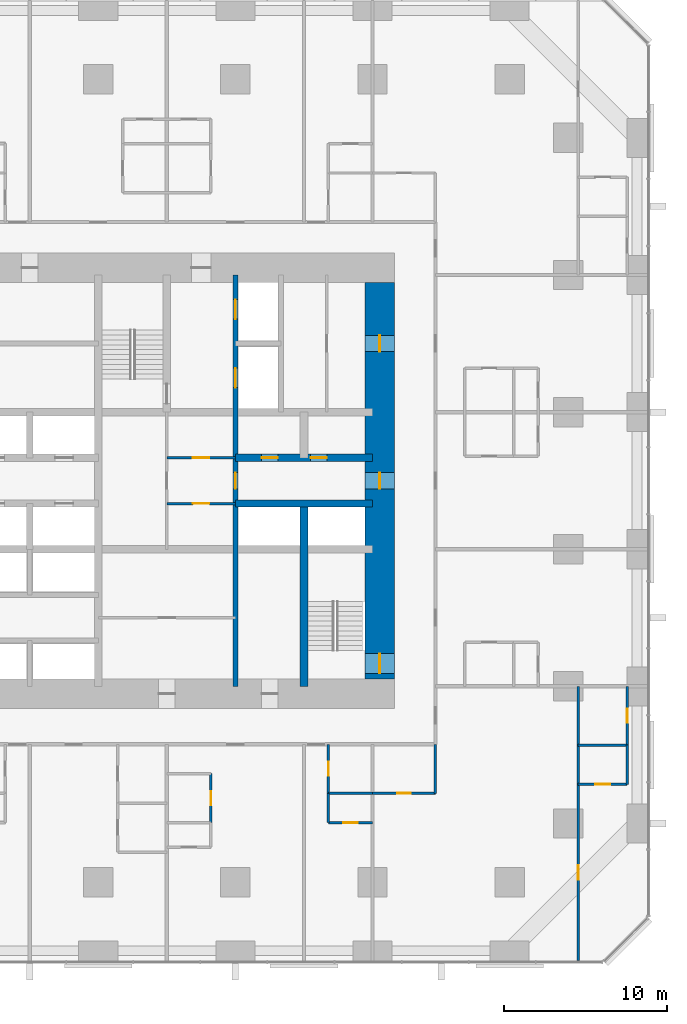
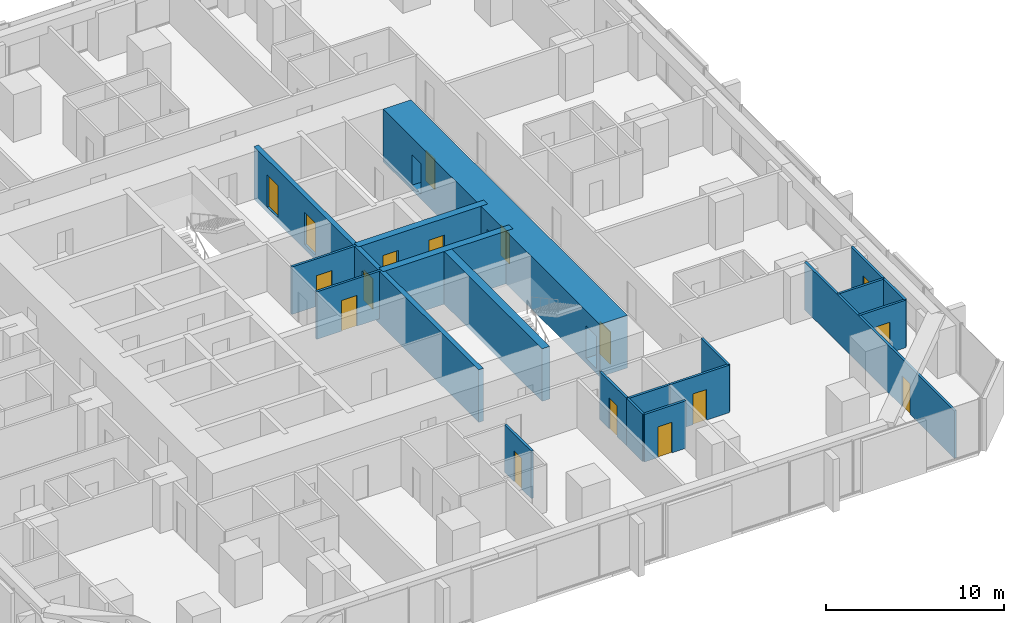
# One storey, part 13 of 17: 19 walls, 17 doors, 17 openings.
"""IFC4 building model written with IfcOpenShell, lengths in metres."""

from ifc_helpers import new_model, si_unit, direction, frame, frame_2d, origin, place, context, subcontext, project, spatial, rectangle, extrude, material, layer, layer_set, type_object, element, fill, save


model = new_model("IFC4")

# Units and contexts
model_context = context("Model", 3, precision=1e-05, world=origin(), true_north=direction((0.0, 1.0)))
body_context = subcontext(model_context, "Body", "Model", "MODEL_VIEW")
ifc_project = project(units=[si_unit("LENGTHUNIT", "METRE"), si_unit("AREAUNIT", "SQUARE_METRE"), si_unit("VOLUMEUNIT", "CUBIC_METRE"), si_unit("PLANEANGLEUNIT", "RADIAN"), si_unit("MASSUNIT", "GRAM", prefix="KILO")], contexts=[model_context])

# Site, building, storey
site_placement = place(None, origin())
site = spatial("IfcSite", under=ifc_project, at=site_placement, CompositionType="ELEMENT")
building_placement = place(site_placement, origin())
building = spatial("IfcBuilding", under=site, at=building_placement, Name="Dunama Terrace Hotel", CompositionType="ELEMENT")
storey_placement = place(building_placement, frame((0.0, 0.0, 41.39990234375)))
storey = spatial("IfcBuildingStorey", under=building, at=storey_placement, Name="L09", CompositionType="ELEMENT", Elevation=41.39990234375)

# Wall, opening, door
ifc_material_1 = material(Name="Gypsum board partition", Category="masonry")
ifc_layer_1 = layer(ifc_material_1, 0.14990234375)
ifc_layer_set_1 = layer_set([ifc_layer_1], Name="Bathroom partition 150")
wall_type_1 = type_object("IfcWallType", Name="Bathroom partition 150", PredefinedType="PARTITIONING", material=ifc_layer_set_1)
wall_1_placement = place(storey_placement, frame((32.10009765625, 8.449951171875, 0.0), z_axis=(0.0, 0.0, 1.0), x_axis=(0.0, 1.0, 0.0)))
wall_1 = element("IfcWall", 1, at=wall_1_placement, inside=storey, type_object=wall_type_1, Name="Bathroom partition 150 L09", PredefinedType="PARTITIONING", context=body_context, shape_type="SweptSolid", body=[
    extrude(rectangle(XDim=3.0, YDim=0.14990234375, at=frame_2d((1.5, 0.0))), origin(), (0.0, 0.0, 1.0), 3.25),
])
opening_1_placement = place(wall_1_placement, frame((1.074951171875, 0.0, 0.0)))
opening_1 = element("IfcOpeningElement", 2, at=opening_1_placement, cuts=wall_1, Name="Opening L07-09-016", PredefinedType="OPENING", context=body_context, shape_type="SweptSolid", body=[
    extrude(rectangle(XDim=0.85009765625, YDim=2.10009765625, at=frame_2d((0.425048828125, 1.050048828125))), frame((0.0, 0.0849609375, 0.0), z_axis=(0.0, -1.0, 0.0), x_axis=(1.0, 0.0, 0.0)), (0.0, 0.0, 1.0), 0.169921875),
])
ifc_material_2 = material(Name="Timber door with steel frame", Category="steel")
door_type_1 = type_object("IfcDoorType", Name="Bathroom door 850", OperationType="SINGLE_SWING_LEFT", PredefinedType="DOOR", material=ifc_material_2)
door_1_placement = place(opening_1_placement, origin())
door_1 = element("IfcDoor", 3, at=door_1_placement, inside=storey, type_object=door_type_1, Name="Door to en-suite bathroom L07-09-016, type D2", OperationType="SINGLE_SWING_LEFT", OverallHeight=2.10009765625, OverallWidth=0.85009765625, PredefinedType="DOOR", context=body_context, shape_type="SweptSolid", body=[
    extrude(rectangle(XDim=0.85009765625, YDim=2.10009765625, at=frame_2d((0.425048828125, 1.050048828125))), frame((0.0, 0.02490234375, 0.0), z_axis=(0.0, -1.0, 0.0), x_axis=(1.0, 0.0, 0.0)), (0.0, 0.0, 1.0), 0.050048828125),
])
fill(opening_1, door_1)

wall_2_placement = place(storey_placement, frame((39.300048828125, 10.25, 0.0), z_axis=(0.0, 0.0, 1.0), x_axis=(0.0, 1.0, 0.0)))
wall_2 = element("IfcWall", 4, at=wall_2_placement, inside=storey, type_object=wall_type_1, Name="Bathroom partition 150 L09", PredefinedType="PARTITIONING", context=body_context, shape_type="SweptSolid", body=[
    extrude(rectangle(XDim=3.0, YDim=0.14990234375, at=frame_2d((1.5, 0.0))), origin(), (0.0, 0.0, 1.0), 3.25),
])
opening_2_placement = place(wall_2_placement, frame((1.074951171875, 0.0, 0.0)))
opening_2 = element("IfcOpeningElement", 5, at=opening_2_placement, cuts=wall_2, Name="Opening L07-09-019", PredefinedType="OPENING", context=body_context, shape_type="SweptSolid", body=[
    extrude(rectangle(XDim=0.85009765625, YDim=2.10009765625, at=frame_2d((0.425048828125, 1.050048828125))), frame((0.0, 0.0849609375, 0.0), z_axis=(0.0, -1.0, 0.0), x_axis=(1.0, 0.0, 0.0)), (0.0, 0.0, 1.0), 0.169921875),
])
door_2_placement = place(opening_2_placement, frame((0.85009765625, 0.0, 0.0), z_axis=(0.0, 0.0, 1.0), x_axis=(-1.0, 0.0, 0.0)))
door_2 = element("IfcDoor", 6, at=door_2_placement, inside=storey, type_object=door_type_1, Name="Door to en-suite bathroom L07-09-019, type D2", OperationType="SINGLE_SWING_LEFT", OverallHeight=2.10009765625, OverallWidth=0.85009765625, PredefinedType="DOOR", context=body_context, shape_type="SweptSolid", body=[
    extrude(rectangle(XDim=0.85009765625, YDim=2.10009765625, at=frame_2d((0.425048828125, 1.050048828125))), frame((0.0, 0.025146484375, 0.0), z_axis=(0.0, -1.0, 0.0), x_axis=(1.0, 0.0, 0.0)), (0.0, 0.0, 1.0), 0.050048828125),
])
fill(opening_2, door_2)

# Wall
wall_3_placement = place(storey_placement, frame((45.85009765625, 10.25, 0.0), z_axis=(0.0, 0.0, 1.0), x_axis=(0.0, 1.0, 0.0)))
element("IfcWall", 7, at=wall_3_placement, inside=storey, type_object=wall_type_1, Name="Bathroom partition 150 L09", PredefinedType="PARTITIONING", context=body_context, shape_type="SweptSolid", body=[
    extrude(rectangle(XDim=3.0, YDim=0.14990234375, at=frame_2d((1.5, 0.0))), origin(), (0.0, 0.0, 1.0), 3.25),
])

# Wall, opening, door
wall_4_placement = place(storey_placement, frame((57.60009765625, 13.199951171875, 0.0), z_axis=(0.0, 0.0, 1.0), x_axis=(0.0, 1.0, 0.0)))
wall_4 = element("IfcWall", 8, at=wall_4_placement, inside=storey, type_object=wall_type_1, Name="Bathroom partition 150 L09", PredefinedType="PARTITIONING", context=body_context, shape_type="SweptSolid", body=[
    extrude(rectangle(XDim=3.60009765625, YDim=0.14990234375, at=frame_2d((1.800048828125, 0.0))), origin(), (0.0, 0.0, 1.0), 3.25),
])
opening_3_placement = place(wall_4_placement, frame((1.375, 0.0, 0.0)))
opening_3 = element("IfcOpeningElement", 9, at=opening_3_placement, cuts=wall_4, Name="Opening L07-09-066", PredefinedType="OPENING", context=body_context, shape_type="SweptSolid", body=[
    extrude(rectangle(XDim=0.85009765625, YDim=2.10009765625, at=frame_2d((0.425048828125, 1.050048828125))), frame((0.0, 0.0849609375, 0.0), z_axis=(0.0, -1.0, 0.0), x_axis=(1.0, 0.0, 0.0)), (0.0, 0.0, 1.0), 0.169921875),
])
door_3_placement = place(opening_3_placement, origin())
door_3 = element("IfcDoor", 10, at=door_3_placement, inside=storey, type_object=door_type_1, Name="Door to en-suite bathroom L07-09-066, type D2", OperationType="SINGLE_SWING_RIGHT", OverallHeight=2.10009765625, OverallWidth=0.85009765625, PredefinedType="DOOR", context=body_context, shape_type="SweptSolid", body=[
    extrude(rectangle(XDim=0.85009765625, YDim=2.10009765625, at=frame_2d((0.425048828125, 1.050048828125))), frame((0.0, 0.02490234375, 0.0), z_axis=(0.0, -1.0, 0.0), x_axis=(1.0, 0.0, 0.0)), (0.0, 0.0, 1.0), 0.050048828125),
])
fill(opening_3, door_3)

wall_5_placement = place(storey_placement, frame((42.0, 10.25, 0.0), z_axis=(0.0, 0.0, 1.0), x_axis=(1.0, 0.0, 0.0)))
wall_5 = element("IfcWall", 11, at=wall_5_placement, inside=storey, type_object=wall_type_1, Name="Bathroom partition 150 L09", PredefinedType="PARTITIONING", context=body_context, shape_type="SweptSolid", body=[
    extrude(rectangle(XDim=3.85009765625, YDim=0.14990234375, at=frame_2d((1.925048828125, 0.0))), origin(), (0.0, 0.0, 1.0), 3.25),
])
opening_4_placement = place(wall_5_placement, frame((1.5, 0.0, 0.0)))
opening_4 = element("IfcOpeningElement", 12, at=opening_4_placement, cuts=wall_5, Name="Opening L07-09-064", PredefinedType="OPENING", context=body_context, shape_type="SweptSolid", body=[
    extrude(rectangle(XDim=0.85009765625, YDim=2.10009765625, at=frame_2d((0.425048828125, 1.050048828125))), frame((0.0, 0.0849609375, 0.0), z_axis=(0.0, -1.0, 0.0), x_axis=(1.0, 0.0, 0.0)), (0.0, 0.0, 1.0), 0.169921875),
])
door_4_placement = place(opening_4_placement, origin())
door_4 = element("IfcDoor", 13, at=door_4_placement, inside=storey, type_object=door_type_1, Name="Door to powder room L07-09-064, type D2", OperationType="SINGLE_SWING_LEFT", OverallHeight=2.10009765625, OverallWidth=0.85009765625, PredefinedType="DOOR", context=body_context, shape_type="SweptSolid", body=[
    extrude(rectangle(XDim=0.85009765625, YDim=2.10009765625, at=frame_2d((0.425048828125, 1.050048828125))), frame((0.0, 0.02490234375, 0.0), z_axis=(0.0, -1.0, 0.0), x_axis=(1.0, 0.0, 0.0)), (0.0, 0.0, 1.0), 0.050048828125),
])
fill(opening_4, door_4)

# Wall, openings, doors
ifc_material_3 = material(Name="Concrete C50/60", Category="concrete")
ifc_layer_2 = layer(ifc_material_3, 0.300048828125)
ifc_layer_set_2 = layer_set([ifc_layer_2], Name="Core inner wall 300")
wall_type_2 = type_object("IfcWallType", Name="Core inner wall 300", PredefinedType="SHEAR", material=ifc_layer_set_2)
wall_6_placement = place(storey_placement, frame((33.60009765625, 16.800048828125, -0.349853515625), z_axis=(0.0, 0.0, 1.0), x_axis=(0.0, 1.0, 0.0)))
wall_6 = element("IfcWall", 14, at=wall_6_placement, inside=storey, type_object=wall_type_2, Name="Core inner wall 300 L09", PredefinedType="SHEAR", context=body_context, shape_type="SweptSolid", body=[
    extrude(rectangle(XDim=25.199951171875, YDim=0.300048828125, at=frame_2d((12.60009765625, 0.0))), origin(), (0.0, 0.0, 1.0), 3.599853515625),
])
opening_5_placement = place(wall_6_placement, frame((22.5, 0.0, 0.35009765625)))
opening_5 = element("IfcOpeningElement", 15, at=opening_5_placement, cuts=wall_6, Name="Opening L07-09-007", PredefinedType="OPENING", context=body_context, shape_type="SweptSolid", body=[
    extrude(rectangle(XDim=1.199951171875, YDim=2.199951171875, at=frame_2d((0.60009765625, 1.10009765625))), frame((0.0, 0.159912109375, 0.0), z_axis=(0.0, -1.0, 0.0), x_axis=(1.0, 0.0, 0.0)), (0.0, 0.0, 1.0), 0.320068359375),
])
opening_6_placement = place(wall_6_placement, frame((18.300048828125, 0.0, 0.35009765625)))
opening_6 = element("IfcOpeningElement", 16, at=opening_6_placement, cuts=wall_6, Name="Opening L07-09-008", PredefinedType="OPENING", context=body_context, shape_type="SweptSolid", body=[
    extrude(rectangle(XDim=1.199951171875, YDim=2.199951171875, at=frame_2d((0.60009765625, 1.10009765625))), frame((0.0, 0.159912109375, 0.0), z_axis=(0.0, -1.0, 0.0), x_axis=(1.0, 0.0, 0.0)), (0.0, 0.0, 1.0), 0.320068359375),
])
opening_7_placement = place(wall_6_placement, frame((12.10009765625, 0.0, 0.35009765625)))
opening_7 = element("IfcOpeningElement", 17, at=opening_7_placement, cuts=wall_6, Name="Opening L07-09-082", PredefinedType="OPENING", context=body_context, shape_type="SweptSolid", body=[
    extrude(rectangle(XDim=1.0, YDim=2.10009765625, at=frame_2d((0.5, 1.050048828125))), frame((0.0, 0.159912109375, 0.0), z_axis=(0.0, -1.0, 0.0), x_axis=(1.0, 0.0, 0.0)), (0.0, 0.0, 1.0), 0.320068359375),
])
ifc_material_4 = material(Name="Stainless steel lift door", Category="steel")
door_type_2 = type_object("IfcDoorType", Name="Firefighting lift landing door 1200", OperationType="DOUBLE_DOOR_SLIDING", PredefinedType="DOOR", material=ifc_material_4)
door_5_placement = place(opening_5_placement, origin())
door_5 = element("IfcDoor", 18, at=door_5_placement, inside=storey, type_object=door_type_2, Name="Landing door FL1 L07-09-007, type LD2", OperationType="DOUBLE_DOOR_SLIDING", OverallHeight=2.199951171875, OverallWidth=1.199951171875, PredefinedType="DOOR", context=body_context, shape_type="SweptSolid", body=[
    extrude(rectangle(XDim=1.199951171875, YDim=2.199951171875, at=frame_2d((0.60009765625, 1.10009765625))), frame((0.0, 0.02490234375, 0.0), z_axis=(0.0, -1.0, 0.0), x_axis=(1.0, 0.0, 0.0)), (0.0, 0.0, 1.0), 0.050048828125),
])
fill(opening_5, door_5)
door_6_placement = place(opening_6_placement, origin())
door_6 = element("IfcDoor", 19, at=door_6_placement, inside=storey, type_object=door_type_2, Name="Landing door FL2 L07-09-008, type LD2", OperationType="DOUBLE_DOOR_SLIDING", OverallHeight=2.199951171875, OverallWidth=1.199951171875, PredefinedType="DOOR", context=body_context, shape_type="SweptSolid", body=[
    extrude(rectangle(XDim=1.199951171875, YDim=2.199951171875, at=frame_2d((0.60009765625, 1.10009765625))), frame((0.0, 0.02490234375, 0.0), z_axis=(0.0, -1.0, 0.0), x_axis=(1.0, 0.0, 0.0)), (0.0, 0.0, 1.0), 0.050048828125),
])
fill(opening_6, door_6)
ifc_material_5 = material(Name="Timber door with steel frame", Category="steel")
door_type_3 = type_object("IfcDoorType", Name="Service door 1000", OperationType="SINGLE_SWING_LEFT", PredefinedType="DOOR", material=ifc_material_5)
door_7_placement = place(opening_7_placement, origin())
door_7 = element("IfcDoor", 20, at=door_7_placement, inside=storey, type_object=door_type_3, Name="Door to staff passage L07-09-082, type D7", OperationType="SINGLE_SWING_LEFT", OverallHeight=2.10009765625, OverallWidth=1.0, PredefinedType="DOOR", context=body_context, shape_type="SweptSolid", body=[
    extrude(rectangle(XDim=1.0, YDim=2.10009765625, at=frame_2d((0.5, 1.050048828125))), frame((0.0, 0.02490234375, 0.0), z_axis=(0.0, -1.0, 0.0), x_axis=(1.0, 0.0, 0.0)), (0.0, 0.0, 1.0), 0.050048828125),
])
fill(opening_7, door_7)

# Wall
ifc_material_6 = material(Name="Concrete C50/60", Category="concrete")
ifc_layer_3 = layer(ifc_material_6, 0.449951171875)
ifc_layer_set_3 = layer_set([ifc_layer_3], Name="Core inner wall 450")
wall_type_3 = type_object("IfcWallType", Name="Core inner wall 450", PredefinedType="SHEAR", material=ifc_layer_set_3)
wall_7_placement = place(storey_placement, frame((33.60009765625, 28.0, -0.349853515625), z_axis=(0.0, 0.0, 1.0), x_axis=(1.0, 0.0, 0.0)))
element("IfcWall", 21, at=wall_7_placement, inside=storey, type_object=wall_type_3, Name="Core inner wall 450 L09", PredefinedType="SHEAR", context=body_context, shape_type="SweptSolid", body=[
    extrude(rectangle(XDim=8.39990234375, YDim=0.449951171875, at=frame_2d((4.199951171875, 0.0))), origin(), (0.0, 0.0, 1.0), 3.599853515625),
])

# Wall, openings, doors
wall_8_placement = place(storey_placement, frame((33.60009765625, 30.800048828125, -0.349853515625), z_axis=(0.0, 0.0, 1.0), x_axis=(1.0, 0.0, 0.0)))
wall_8 = element("IfcWall", 22, at=wall_8_placement, inside=storey, type_object=wall_type_3, Name="Core inner wall 450 L09", PredefinedType="SHEAR", context=body_context, shape_type="SweptSolid", body=[
    extrude(rectangle(XDim=8.39990234375, YDim=0.449951171875, at=frame_2d((4.199951171875, 0.0))), origin(), (0.0, 0.0, 1.0), 3.599853515625),
])
opening_8_placement = place(wall_8_placement, frame((1.60009765625, 0.0, 0.35009765625)))
opening_8 = element("IfcOpeningElement", 23, at=opening_8_placement, cuts=wall_8, Name="Opening L07-09-086", PredefinedType="OPENING", context=body_context, shape_type="SweptSolid", body=[
    extrude(rectangle(XDim=1.0, YDim=2.10009765625, at=frame_2d((0.5, 1.050048828125))), frame((0.0, 0.23486328125, 0.0), z_axis=(0.0, -1.0, 0.0), x_axis=(1.0, 0.0, 0.0)), (0.0, 0.0, 1.0), 0.469970703125),
])
opening_9_placement = place(wall_8_placement, frame((4.60009765625, 0.0, 0.35009765625)))
opening_9 = element("IfcOpeningElement", 24, at=opening_9_placement, cuts=wall_8, Name="Opening L07-09-087", PredefinedType="OPENING", context=body_context, shape_type="SweptSolid", body=[
    extrude(rectangle(XDim=1.0, YDim=2.10009765625, at=frame_2d((0.5, 1.050048828125))), frame((0.0, 0.23486328125, 0.0), z_axis=(0.0, -1.0, 0.0), x_axis=(1.0, 0.0, 0.0)), (0.0, 0.0, 1.0), 0.469970703125),
])
door_8_placement = place(opening_8_placement, origin())
door_8 = element("IfcDoor", 25, at=door_8_placement, inside=storey, type_object=door_type_3, Name="Door to service riser L07-09-086, type D7", OperationType="SINGLE_SWING_RIGHT", OverallHeight=2.10009765625, OverallWidth=1.0, PredefinedType="DOOR", context=body_context, shape_type="SweptSolid", body=[
    extrude(rectangle(XDim=1.0, YDim=2.10009765625, at=frame_2d((0.5, 1.050048828125))), frame((0.0, 0.02490234375, 0.0), z_axis=(0.0, -1.0, 0.0), x_axis=(1.0, 0.0, 0.0)), (0.0, 0.0, 1.0), 0.050048828125),
])
fill(opening_8, door_8)
door_9_placement = place(opening_9_placement, origin())
door_9 = element("IfcDoor", 26, at=door_9_placement, inside=storey, type_object=door_type_3, Name="Door to staff accessible wc L07-09-087, type D7", OperationType="SINGLE_SWING_LEFT", OverallHeight=2.10009765625, OverallWidth=1.0, PredefinedType="DOOR", context=body_context, shape_type="SweptSolid", body=[
    extrude(rectangle(XDim=1.0, YDim=2.10009765625, at=frame_2d((0.5, 1.050048828125))), frame((0.0, 0.02490234375, 0.0), z_axis=(0.0, -1.0, 0.0), x_axis=(1.0, 0.0, 0.0)), (0.0, 0.0, 1.0), 0.050048828125),
])
fill(opening_9, door_9)

# Wall
ifc_material_7 = material(Name="Concrete C50/60", Category="concrete")
ifc_layer_4 = layer(ifc_material_7, 0.5)
ifc_layer_set_4 = layer_set([ifc_layer_4], Name="Core inner wall 500")
wall_type_4 = type_object("IfcWallType", Name="Core inner wall 500", PredefinedType="SHEAR", material=ifc_layer_set_4)
wall_9_placement = place(storey_placement, frame((37.800048828125, 16.800048828125, -0.349853515625), z_axis=(0.0, 0.0, 1.0), x_axis=(0.0, 1.0, 0.0)))
element("IfcWall", 27, at=wall_9_placement, inside=storey, type_object=wall_type_4, Name="Core inner wall 500 L09", PredefinedType="SHEAR", context=body_context, shape_type="SweptSolid", body=[
    extrude(rectangle(XDim=11.199951171875, YDim=0.5, at=frame_2d((5.60009765625, 0.0))), origin(), (0.0, 0.0, 1.0), 3.599853515625),
])

# Wall, openings, doors
ifc_material_8 = material(Name="Concrete C60/75", Category="concrete")
ifc_layer_5 = layer(ifc_material_8, 1.800048828125)
ifc_layer_set_5 = layer_set([ifc_layer_5], Name="Core wall 1800")
wall_type_5 = type_object("IfcWallType", Name="Core wall 1800", PredefinedType="SHEAR", material=ifc_layer_set_5)
wall_10_placement = place(storey_placement, frame((42.449951171875, 17.25, -0.349853515625), z_axis=(0.0, 0.0, 1.0), x_axis=(0.0, 1.0, 0.0)))
wall_10 = element("IfcWall", 28, at=wall_10_placement, inside=storey, type_object=wall_type_5, Name="Core wall east L09", PredefinedType="SHEAR", context=body_context, shape_type="SweptSolid", body=[
    extrude(rectangle(XDim=24.300048828125, YDim=1.800048828125, at=frame_2d((12.14990234375, 0.0))), origin(), (0.0, 0.0, 1.0), 3.599853515625),
])
opening_10_placement = place(wall_10_placement, frame((0.35009765625, 0.0, 0.35009765625)))
opening_10 = element("IfcOpeningElement", 29, at=opening_10_placement, cuts=wall_10, Name="Opening L07-09-002", PredefinedType="OPENING", context=body_context, shape_type="SweptSolid", body=[
    extrude(rectangle(XDim=1.199951171875, YDim=2.199951171875, at=frame_2d((0.60009765625, 1.10009765625))), frame((0.0, 0.909912109375, 0.0), z_axis=(0.0, -1.0, 0.0), x_axis=(1.0, 0.0, 0.0)), (0.0, 0.0, 1.0), 1.820068359375),
])
opening_11_placement = place(wall_10_placement, frame((11.64990234375, 0.0, 0.35009765625)))
opening_11 = element("IfcOpeningElement", 30, at=opening_11_placement, cuts=wall_10, Name="Opening L07-09-088", PredefinedType="OPENING", context=body_context, shape_type="SweptSolid", body=[
    extrude(rectangle(XDim=1.0, YDim=2.10009765625, at=frame_2d((0.5, 1.050048828125))), frame((0.0, 0.909912109375, 0.0), z_axis=(0.0, -1.0, 0.0), x_axis=(1.0, 0.0, 0.0)), (0.0, 0.0, 1.0), 1.820068359375),
])
opening_12_placement = place(wall_10_placement, frame((20.050048828125, 0.0, 0.35009765625)))
opening_12 = element("IfcOpeningElement", 31, at=opening_12_placement, cuts=wall_10, Name="Opening L07-09-090", PredefinedType="OPENING", context=body_context, shape_type="SweptSolid", body=[
    extrude(rectangle(XDim=1.0, YDim=2.10009765625, at=frame_2d((0.5, 1.050048828125))), frame((0.0, 0.909912109375, 0.0), z_axis=(0.0, -1.0, 0.0), x_axis=(1.0, 0.0, 0.0)), (0.0, 0.0, 1.0), 1.820068359375),
])
door_10_placement = place(opening_11_placement, origin())
door_10 = element("IfcDoor", 32, at=door_10_placement, inside=storey, type_object=door_type_3, Name="Door to service lobby L07-09-088, type D7", OperationType="SINGLE_SWING_LEFT", OverallHeight=2.10009765625, OverallWidth=1.0, PredefinedType="DOOR", context=body_context, shape_type="SweptSolid", body=[
    extrude(rectangle(XDim=1.0, YDim=2.10009765625, at=frame_2d((0.5, 1.050048828125))), frame((0.0, 0.02490234375, 0.0), z_axis=(0.0, -1.0, 0.0), x_axis=(1.0, 0.0, 0.0)), (0.0, 0.0, 1.0), 0.050048828125),
])
fill(opening_11, door_10)
door_11_placement = place(opening_12_placement, origin())
door_11 = element("IfcDoor", 33, at=door_11_placement, inside=storey, type_object=door_type_3, Name="Door to housekeeping store L07-09-090, type D7", OperationType="SINGLE_SWING_LEFT", OverallHeight=2.10009765625, OverallWidth=1.0, PredefinedType="DOOR", context=body_context, shape_type="SweptSolid", body=[
    extrude(rectangle(XDim=1.0, YDim=2.10009765625, at=frame_2d((0.5, 1.050048828125))), frame((0.0, 0.02490234375, 0.0), z_axis=(0.0, -1.0, 0.0), x_axis=(1.0, 0.0, 0.0)), (0.0, 0.0, 1.0), 0.050048828125),
])
fill(opening_12, door_11)
ifc_material_9 = material(Name="Timber door with steel frame", Category="steel")
door_type_4 = type_object("IfcDoorType", Name="Stair door 1200", OperationType="SINGLE_SWING_LEFT", PredefinedType="DOOR", material=ifc_material_9)
door_12_placement = place(opening_10_placement, origin())
door_12 = element("IfcDoor", 34, at=door_12_placement, inside=storey, type_object=door_type_4, Name="Stair door ST2 L07-09-002, type D5", OperationType="SINGLE_SWING_LEFT", OverallHeight=2.199951171875, OverallWidth=1.199951171875, PredefinedType="DOOR", context=body_context, shape_type="SweptSolid", body=[
    extrude(rectangle(XDim=1.199951171875, YDim=2.199951171875, at=frame_2d((0.60009765625, 1.10009765625))), frame((0.0, 0.02490234375, 0.0), z_axis=(0.0, -1.0, 0.0), x_axis=(1.0, 0.0, 0.0)), (0.0, 0.0, 1.0), 0.050048828125),
])
fill(opening_10, door_12)

# Wall
ifc_material_10 = material(Name="Gypsum board partition", Category="masonry")
ifc_layer_6 = layer(ifc_material_10, 0.14990234375)
ifc_layer_set_6 = layer_set([ifc_layer_6], Name="Room partition 150")
wall_type_6 = type_object("IfcWallType", Name="Room partition 150", PredefinedType="PARTITIONING", material=ifc_layer_set_6)
wall_11_placement = place(storey_placement, frame((39.300048828125, 8.449951171875, 0.0), z_axis=(0.0, 0.0, 1.0), x_axis=(0.0, 1.0, 0.0)))
element("IfcWall", 35, at=wall_11_placement, inside=storey, type_object=wall_type_6, Name="Room partition 150 L09", PredefinedType="PARTITIONING", context=body_context, shape_type="SweptSolid", body=[
    extrude(rectangle(XDim=1.800048828125, YDim=0.14990234375, at=frame_2d((0.89990234375, 0.0))), origin(), (0.0, 0.0, 1.0), 3.25),
])

# Wall, opening, door
wall_12_placement = place(storey_placement, frame((54.60009765625, -0.008056640625, 0.0), z_axis=(0.0, 0.0, 1.0), x_axis=(0.0, 1.0, 0.0)))
wall_12 = element("IfcWall", 36, at=wall_12_placement, inside=storey, type_object=wall_type_6, Name="Room partition 150 L09", PredefinedType="PARTITIONING", context=body_context, shape_type="SweptSolid", body=[
    extrude(rectangle(XDim=16.80810546875, YDim=0.14990234375, at=frame_2d((8.404052734375, 0.0))), origin(), (0.0, 0.0, 1.0), 3.25),
])
opening_13_placement = place(wall_12_placement, frame((4.9580078125, 0.0, 0.0)))
opening_13 = element("IfcOpeningElement", 37, at=opening_13_placement, cuts=wall_12, Name="Opening L07-09-065", PredefinedType="OPENING", context=body_context, shape_type="SweptSolid", body=[
    extrude(rectangle(XDim=0.89990234375, YDim=2.10009765625, at=frame_2d((0.449951171875, 1.050048828125))), frame((0.0, 0.0849609375, 0.0), z_axis=(0.0, -1.0, 0.0), x_axis=(1.0, 0.0, 0.0)), (0.0, 0.0, 1.0), 0.169921875),
])
ifc_material_11 = material(Name="Timber door with steel frame", Category="steel")
door_type_5 = type_object("IfcDoorType", Name="Suite internal door 900", OperationType="SINGLE_SWING_LEFT", PredefinedType="DOOR", material=ifc_material_11)
door_13_placement = place(opening_13_placement, frame((0.89990234375, 0.0, 0.0), z_axis=(0.0, 0.0, 1.0), x_axis=(-1.0, 0.0, 0.0)))
door_13 = element("IfcDoor", 38, at=door_13_placement, inside=storey, type_object=door_type_5, Name="Door to corner suite bedroom L07-09-065, type D16", OperationType="SINGLE_SWING_LEFT", OverallHeight=2.10009765625, OverallWidth=0.89990234375, PredefinedType="DOOR", context=body_context, shape_type="SweptSolid", body=[
    extrude(rectangle(XDim=0.89990234375, YDim=2.10009765625, at=frame_2d((0.449951171875, 1.050048828125))), frame((0.0, 0.025146484375, 0.0), z_axis=(0.0, -1.0, 0.0), x_axis=(1.0, 0.0, 0.0)), (0.0, 0.0, 1.0), 0.050048828125),
])
fill(opening_13, door_13)

# Wall
wall_13_placement = place(storey_placement, frame((57.60009765625, 10.800048828125, 0.0), z_axis=(0.0, 0.0, 1.0), x_axis=(0.0, 1.0, 0.0)))
element("IfcWall", 39, at=wall_13_placement, inside=storey, type_object=wall_type_6, Name="Room partition 150 L09", PredefinedType="PARTITIONING", context=body_context, shape_type="SweptSolid", body=[
    extrude(rectangle(XDim=2.39990234375, YDim=0.14990234375, at=frame_2d((1.199951171875, 0.0))), origin(), (0.0, 0.0, 1.0), 3.25),
])

# Wall, opening, door
wall_14_placement = place(storey_placement, frame((39.300048828125, 8.449951171875, 0.0), z_axis=(0.0, 0.0, 1.0), x_axis=(1.0, 0.0, 0.0)))
wall_14 = element("IfcWall", 40, at=wall_14_placement, inside=storey, type_object=wall_type_6, Name="Room partition 150 L09", PredefinedType="PARTITIONING", context=body_context, shape_type="SweptSolid", body=[
    extrude(rectangle(XDim=2.699951171875, YDim=0.14990234375, at=frame_2d((1.35009765625, 0.0))), origin(), (0.0, 0.0, 1.0), 3.25),
])
opening_14_placement = place(wall_14_placement, frame((0.89990234375, 0.0, 0.0)))
opening_14 = element("IfcOpeningElement", 41, at=opening_14_placement, cuts=wall_14, Name="Opening L07-09-020", PredefinedType="OPENING", context=body_context, shape_type="SweptSolid", body=[
    extrude(rectangle(XDim=0.89990234375, YDim=2.10009765625, at=frame_2d((0.449951171875, 1.050048828125))), frame((0.0, 0.0849609375, 0.0), z_axis=(0.0, -1.0, 0.0), x_axis=(1.0, 0.0, 0.0)), (0.0, 0.0, 1.0), 0.169921875),
])
door_14_placement = place(opening_14_placement, origin())
door_14 = element("IfcDoor", 42, at=door_14_placement, inside=storey, type_object=door_type_5, Name="Door to walk-in wardrobe L07-09-020, type D16", OperationType="SINGLE_SWING_RIGHT", OverallHeight=2.10009765625, OverallWidth=0.89990234375, PredefinedType="DOOR", context=body_context, shape_type="SweptSolid", body=[
    extrude(rectangle(XDim=0.89990234375, YDim=2.10009765625, at=frame_2d((0.449951171875, 1.050048828125))), frame((0.0, 0.02490234375, 0.0), z_axis=(0.0, -1.0, 0.0), x_axis=(1.0, 0.0, 0.0)), (0.0, 0.0, 1.0), 0.050048828125),
])
fill(opening_14, door_14)

# Wall
wall_15_placement = place(storey_placement, frame((39.300048828125, 10.25, 0.0), z_axis=(0.0, 0.0, 1.0), x_axis=(1.0, 0.0, 0.0)))
element("IfcWall", 43, at=wall_15_placement, inside=storey, type_object=wall_type_6, Name="Room partition 150 L09", PredefinedType="PARTITIONING", context=body_context, shape_type="SweptSolid", body=[
    extrude(rectangle(XDim=2.699951171875, YDim=0.14990234375, at=frame_2d((1.35009765625, 0.0))), origin(), (0.0, 0.0, 1.0), 3.25),
])

# Wall, opening, door
wall_16_placement = place(storey_placement, frame((54.60009765625, 10.800048828125, 0.0), z_axis=(0.0, 0.0, 1.0), x_axis=(1.0, 0.0, 0.0)))
wall_16 = element("IfcWall", 44, at=wall_16_placement, inside=storey, type_object=wall_type_6, Name="Room partition 150 L09", PredefinedType="PARTITIONING", context=body_context, shape_type="SweptSolid", body=[
    extrude(rectangle(XDim=3.0, YDim=0.14990234375, at=frame_2d((1.5, 0.0))), origin(), (0.0, 0.0, 1.0), 3.25),
])
opening_15_placement = place(wall_16_placement, frame((1.050048828125, 0.0, 0.0)))
opening_15 = element("IfcOpeningElement", 45, at=opening_15_placement, cuts=wall_16, Name="Opening L07-09-067", PredefinedType="OPENING", context=body_context, shape_type="SweptSolid", body=[
    extrude(rectangle(XDim=0.89990234375, YDim=2.10009765625, at=frame_2d((0.449951171875, 1.050048828125))), frame((0.0, 0.0849609375, 0.0), z_axis=(0.0, -1.0, 0.0), x_axis=(1.0, 0.0, 0.0)), (0.0, 0.0, 1.0), 0.169921875),
])
door_15_placement = place(opening_15_placement, origin())
door_15 = element("IfcDoor", 46, at=door_15_placement, inside=storey, type_object=door_type_5, Name="Door to dressing room L07-09-067, type D16", OperationType="SINGLE_SWING_LEFT", OverallHeight=2.10009765625, OverallWidth=0.89990234375, PredefinedType="DOOR", context=body_context, shape_type="SweptSolid", body=[
    extrude(rectangle(XDim=0.89990234375, YDim=2.10009765625, at=frame_2d((0.449951171875, 1.050048828125))), frame((0.0, 0.02490234375, 0.0), z_axis=(0.0, -1.0, 0.0), x_axis=(1.0, 0.0, 0.0)), (0.0, 0.0, 1.0), 0.050048828125),
])
fill(opening_15, door_15)

# Wall
wall_17_placement = place(storey_placement, frame((54.60009765625, 13.199951171875, 0.0), z_axis=(0.0, 0.0, 1.0), x_axis=(1.0, 0.0, 0.0)))
element("IfcWall", 47, at=wall_17_placement, inside=storey, type_object=wall_type_6, Name="Room partition 150 L09", PredefinedType="PARTITIONING", context=body_context, shape_type="SweptSolid", body=[
    extrude(rectangle(XDim=3.0, YDim=0.14990234375, at=frame_2d((1.5, 0.0))), origin(), (0.0, 0.0, 1.0), 3.25),
])

# Wall, opening, door
wall_18_placement = place(storey_placement, frame((29.39990234375, 28.0, 0.0), z_axis=(0.0, 0.0, 1.0), x_axis=(1.0, 0.0, 0.0)))
wall_18 = element("IfcWall", 48, at=wall_18_placement, inside=storey, type_object=wall_type_6, Name="Room partition 150 L09", PredefinedType="PARTITIONING", context=body_context, shape_type="SweptSolid", body=[
    extrude(rectangle(XDim=4.2001953125, YDim=0.14990234375, at=frame_2d((2.10009765625, 0.0))), origin(), (0.0, 0.0, 1.0), 3.25),
])
opening_16_placement = place(wall_18_placement, frame((1.60009765625, 0.0, 0.0)))
opening_16 = element("IfcOpeningElement", 49, at=opening_16_placement, cuts=wall_18, Name="Opening L07-09-083", PredefinedType="OPENING", context=body_context, shape_type="SweptSolid", body=[
    extrude(rectangle(XDim=1.0, YDim=2.10009765625, at=frame_2d((0.5, 1.050048828125))), frame((0.0, 0.0849609375, 0.0), z_axis=(0.0, -1.0, 0.0), x_axis=(1.0, 0.0, 0.0)), (0.0, 0.0, 1.0), 0.169921875),
])
door_16_placement = place(opening_16_placement, frame((1.0, 0.0, 0.0), z_axis=(0.0, 0.0, 1.0), x_axis=(-1.0, 0.0, 0.0)))
door_16 = element("IfcDoor", 50, at=door_16_placement, inside=storey, type_object=door_type_3, Name="Door to linen and housekeeping room L07-09-083, type D7", OperationType="SINGLE_SWING_LEFT", OverallHeight=2.10009765625, OverallWidth=1.0, PredefinedType="DOOR", context=body_context, shape_type="SweptSolid", body=[
    extrude(rectangle(XDim=1.0, YDim=2.10009765625, at=frame_2d((0.5, 1.050048828125))), frame((0.0, 0.025146484375, 0.0), z_axis=(0.0, -1.0, 0.0), x_axis=(1.0, 0.0, 0.0)), (0.0, 0.0, 1.0), 0.050048828125),
])
fill(opening_16, door_16)

wall_19_placement = place(storey_placement, frame((29.39990234375, 30.800048828125, 0.0), z_axis=(0.0, 0.0, 1.0), x_axis=(1.0, 0.0, 0.0)))
wall_19 = element("IfcWall", 51, at=wall_19_placement, inside=storey, type_object=wall_type_6, Name="Room partition 150 L09", PredefinedType="PARTITIONING", context=body_context, shape_type="SweptSolid", body=[
    extrude(rectangle(XDim=4.2001953125, YDim=0.14990234375, at=frame_2d((2.10009765625, 0.0))), origin(), (0.0, 0.0, 1.0), 3.25),
])
opening_17_placement = place(wall_19_placement, frame((1.60009765625, 0.0, 0.0)))
opening_17 = element("IfcOpeningElement", 52, at=opening_17_placement, cuts=wall_19, Name="Opening L07-09-084", PredefinedType="OPENING", context=body_context, shape_type="SweptSolid", body=[
    extrude(rectangle(XDim=1.0, YDim=2.10009765625, at=frame_2d((0.5, 1.050048828125))), frame((0.0, 0.0849609375, 0.0), z_axis=(0.0, -1.0, 0.0), x_axis=(1.0, 0.0, 0.0)), (0.0, 0.0, 1.0), 0.169921875),
])
door_17_placement = place(opening_17_placement, origin())
door_17 = element("IfcDoor", 53, at=door_17_placement, inside=storey, type_object=door_type_3, Name="Door to room service pantry L07-09-084, type D7", OperationType="SINGLE_SWING_RIGHT", OverallHeight=2.10009765625, OverallWidth=1.0, PredefinedType="DOOR", context=body_context, shape_type="SweptSolid", body=[
    extrude(rectangle(XDim=1.0, YDim=2.10009765625, at=frame_2d((0.5, 1.050048828125))), frame((0.0, 0.02490234375, 0.0), z_axis=(0.0, -1.0, 0.0), x_axis=(1.0, 0.0, 0.0)), (0.0, 0.0, 1.0), 0.050048828125),
])
fill(opening_17, door_17)

save(model, "model.ifc")
